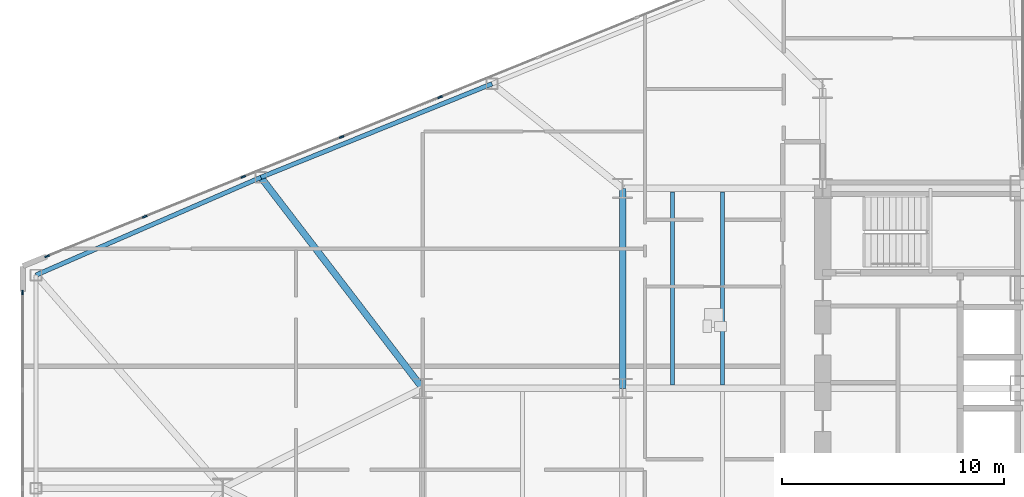
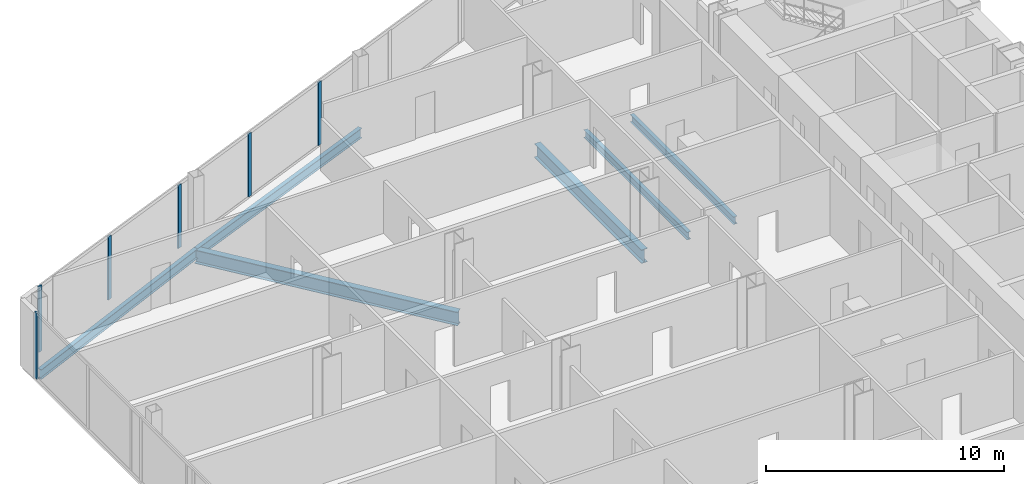
# One storey, part 6 of 25: 6 beams, 6 members, 2 elements without a shape of their own.
"""IFC4 building model written with IfcOpenShell, lengths in metres."""

import ifcopenshell
import ifcopenshell.guid

model = None  # the IFC model being written
_history = None  # IfcOwnerHistory: only IFC2X3 demands one
_inside = {}  # id of a spatial element -> (the spatial element, [elements in it])
_under = {}  # id of a project, library or spatial element -> (it, [spatial elements below it])
_declared = {}  # id of a project -> (the project, [libraries it declares])
_typed = {}  # id of a type object -> (the type object, [elements of that type])
_made_of = {}  # id of a material, layer set ... -> (it, [elements and type objects made of it])


def new_model(schema):
    """Start an empty IFC model of exactly this schema.

    Asked for "IFC4X3", IfcOpenShell would pick the latest addendum, in which some entities
    have other attributes; the version numbers below select the first issue.
    IFC2X3 requires an IfcOwnerHistory on every rooted entity: one is made here for all.
    """
    global model, _history
    if schema == "IFC4X3":
        model = ifcopenshell.file(schema_version=(4, 3, 0, 0))
    else:
        model = ifcopenshell.file(schema=schema)
    _inside.clear()
    _under.clear()
    _declared.clear()
    _typed.clear()
    _made_of.clear()
    _history = None
    if model.schema == "IFC2X3":
        org = make("IfcOrganization", Name="unknown")
        user = make(
            "IfcPersonAndOrganization",
            ThePerson=make("IfcPerson", FamilyName="unknown"),
            TheOrganization=org,
        )
        app = make(
            "IfcApplication",
            ApplicationDeveloper=org,
            Version="unknown",
            ApplicationFullName="unknown",
            ApplicationIdentifier="unknown",
        )
        _history = make(
            "IfcOwnerHistory",
            OwningUser=user,
            OwningApplication=app,
            ChangeAction="ADDED",
            CreationDate=0,
        )
    return model


def make(cls, **values):
    """One entity of the class cls with the attributes given. An attribute that is None is left unset."""
    return model.create_entity(
        cls, **{name: value for name, value in values.items() if value is not None}
    )


def rooted(cls, **values):
    """An entity with a GlobalId (a new one), such as an element, a storey or a relation."""
    return make(cls, GlobalId=ifcopenshell.guid.new(), OwnerHistory=_history, **values)


def si_unit(unit_type, name, prefix=None):
    """IfcSIUnit, for example si_unit("LENGTHUNIT", "METRE", prefix="MILLI")."""
    return make("IfcSIUnit", UnitType=unit_type, Prefix=prefix, Name=name)


def assignment(units):
    """IfcUnitAssignment: the units of a project."""
    return None if units is None else make("IfcUnitAssignment", Units=units)


def point(xyz):
    """IfcCartesianPoint."""
    return None if xyz is None else make("IfcCartesianPoint", Coordinates=xyz)


def direction(xyz):
    """IfcDirection."""
    return None if xyz is None else make("IfcDirection", DirectionRatios=xyz)


def frame(location, z_axis=None, x_axis=None):
    """IfcAxis2Placement3D, a coordinate frame: its origin and axes. An axis left out is left unset."""
    return make(
        "IfcAxis2Placement3D",
        Location=point(location),
        Axis=direction(z_axis),
        RefDirection=direction(x_axis),
    )


def frame_2d(location, x_axis=None):
    """IfcAxis2Placement2D, a coordinate frame in the plane: its origin and x axis."""
    return make(
        "IfcAxis2Placement2D", Location=point(location), RefDirection=direction(x_axis)
    )


def origin():
    """The frame at (0, 0, 0) with its axes left unset."""
    return frame((0.0, 0.0, 0.0))


def origin_2d():
    """The frame at (0, 0) in the plane with its x axis left unset."""
    return frame_2d((0.0, 0.0))


def place(relative_to, where):
    """IfcLocalPlacement: puts the frame where relative to a parent placement (None: the world)."""
    return make(
        "IfcLocalPlacement", PlacementRelTo=relative_to, RelativePlacement=where
    )


def context(
    kind, dimensions, precision=None, world=None, true_north=None, identifier=None
):
    """IfcGeometricRepresentationContext, for example the 3D "Model" context."""
    return make(
        "IfcGeometricRepresentationContext",
        ContextIdentifier=identifier,
        ContextType=kind,
        CoordinateSpaceDimension=dimensions,
        Precision=precision,
        WorldCoordinateSystem=world,
        TrueNorth=true_north,
    )


def subcontext(parent, identifier, kind, view, scale=None):
    """IfcGeometricRepresentationSubContext, for example "Body" below "Model"."""
    return make(
        "IfcGeometricRepresentationSubContext",
        ContextIdentifier=identifier,
        ContextType=kind,
        ParentContext=parent,
        TargetScale=scale,
        TargetView=view,
    )


def project(units=None, contexts=None):
    """IfcProject with its units and contexts."""
    return rooted(
        "IfcProject",
        Name="project",
        RepresentationContexts=contexts,
        UnitsInContext=assignment(units),
    )


def spatial(cls, under=None, at=None, **own):
    """A site, building, storey or space (cls), placed at a placement, below another one or the project."""
    s = rooted(cls, ObjectPlacement=at, **own)
    if under is not None:
        _under.setdefault(under.id(), (under, []))[1].append(s)
    return s


def profile(cls, at=None, kind="AREA", **sizes):
    """A parametric profile (cls). Its sizes go by their IFC names, for example OverallWidth=200.0."""
    return make(cls, ProfileType=kind, Position=at, **sizes)


def rectangle(**sizes):
    """IfcRectangleProfileDef."""
    return profile("IfcRectangleProfileDef", **sizes)


def i_section(**sizes):
    """IfcIShapeProfileDef."""
    return profile("IfcIShapeProfileDef", **sizes)


def extrude(swept, where, along, depth):
    """IfcExtrudedAreaSolid: the profile swept, set in the frame where, extruded along a direction by depth."""
    return make(
        "IfcExtrudedAreaSolid",
        SweptArea=swept,
        Position=where,
        ExtrudedDirection=direction(along),
        Depth=depth,
    )


def shape(context_of_items, identifier, shape_type, items):
    """IfcShapeRepresentation: the items that make up one representation, for example the "Body"."""
    return make(
        "IfcShapeRepresentation",
        ContextOfItems=context_of_items,
        RepresentationIdentifier=identifier,
        RepresentationType=shape_type,
        Items=items,
    )


def source(mapping_origin, context_of_items, identifier, shape_type, items):
    """IfcRepresentationMap: a shape defined once, which mapped items show again and again."""
    return make(
        "IfcRepresentationMap",
        MappingOrigin=mapping_origin,
        MappedRepresentation=shape(context_of_items, identifier, shape_type, items),
    )


def transform(
    local_origin,
    x_axis=None,
    y_axis=None,
    z_axis=None,
    scale=None,
    scale2=None,
    scale3=None,
    uniform=True,
):
    """IfcCartesianTransformationOperator3D, or its non-uniform kind. x_axis, y_axis, z_axis: its Axis1, 2, 3."""
    if uniform:
        return make(
            "IfcCartesianTransformationOperator3D",
            Axis1=direction(x_axis),
            Axis2=direction(y_axis),
            LocalOrigin=point(local_origin),
            Scale=scale,
            Axis3=direction(z_axis),
        )
    return make(
        "IfcCartesianTransformationOperator3DnonUniform",
        Axis1=direction(x_axis),
        Axis2=direction(y_axis),
        LocalOrigin=point(local_origin),
        Scale=scale,
        Axis3=direction(z_axis),
        Scale2=scale2,
        Scale3=scale3,
    )


def mapped(mapping_source, mapping_target):
    """IfcMappedItem: shows the shape of a source again, moved by a transform."""
    return make(
        "IfcMappedItem", MappingSource=mapping_source, MappingTarget=mapping_target
    )


def material(Name=None, Category=None):
    """IfcMaterial."""
    return make("IfcMaterial", Name=Name, Category=Category)


def layer(
    of_material, thickness, ventilated=None, Name=None, Category=None, Priority=None
):
    """IfcMaterialLayer: one layer of a wall or slab, of a material (None: an air gap)."""
    return make(
        "IfcMaterialLayer",
        Material=of_material,
        LayerThickness=thickness,
        IsVentilated=ventilated,
        Name=Name,
        Category=Category,
        Priority=Priority,
    )


def layer_set(layers, Name=None):
    """IfcMaterialLayerSet."""
    return make("IfcMaterialLayerSet", MaterialLayers=layers, LayerSetName=Name)


def material_profile(
    of_material, cross_section, Name=None, Category=None, Priority=None
):
    """IfcMaterialProfile: a cross section and its material."""
    return make(
        "IfcMaterialProfile",
        Name=Name,
        Material=of_material,
        Profile=cross_section,
        Priority=Priority,
        Category=Category,
    )


def profile_set(profiles, Name=None, composite=None):
    """IfcMaterialProfileSet."""
    return make(
        "IfcMaterialProfileSet",
        Name=Name,
        MaterialProfiles=profiles,
        CompositeProfile=composite,
    )


def made_of(thing, what):
    """Note that an element or type object is made of a material, layer set ...; save() writes the relation."""
    if what is not None:
        _made_of.setdefault(what.id(), (what, []))[1].append(thing)
    return thing


def type_object(cls, material=None, **own):
    """A type object (cls), such as IfcWallType, which elements share."""
    return made_of(rooted(cls, **own), material)


def type_shapes(of_type, sources):
    """Give a type object the sources (RepresentationMaps) that its elements show as mapped items."""
    of_type.RepresentationMaps = sources


def element(
    cls,
    number,
    at=None,
    inside=None,
    cuts=None,
    type_object=None,
    material=None,
    context=None,
    identifier="Body",
    shape_type=None,
    held_by="IfcProductDefinitionShape",
    body=None,
    shapes=None,
    **own,
):
    """One element of the class cls, such as IfcWall. Its Tag is "e" and its number.

    at: its placement. inside: the storey or other place that contains it. cuts: it is an
    opening in that element (IfcRelVoidsElement). A single representation is given by context,
    identifier, shape_type and body (its items); several are given by shapes. held_by: the class
    of the entity that holds the representations. save() writes the other relations.
    """
    e = rooted(cls, Tag="e%d" % number, ObjectPlacement=at, **own)
    if body is not None:
        shapes = [shape(context, identifier, shape_type, body)]
    if shapes is not None:
        e.Representation = make(held_by, Representations=shapes)
    if inside is not None:
        _inside.setdefault(inside.id(), (inside, []))[1].append(e)
    if cuts is not None:
        rooted(
            "IfcRelVoidsElement", RelatingBuildingElement=cuts, RelatedOpeningElement=e
        )
    if type_object is not None:
        _typed.setdefault(type_object.id(), (type_object, []))[1].append(e)
    return made_of(e, material)


def aggregate(whole, parts):
    """IfcRelAggregates: a whole, such as a stair, and the parts it consists of."""
    return rooted("IfcRelAggregates", RelatingObject=whole, RelatedObjects=parts)


def save(model, path):
    """Write the relations noted so far, then the file.

    IfcRelAggregates (storeys below a building ...), IfcRelContainedInSpatialStructure (elements
    in a storey), IfcRelDefinesByType, IfcRelAssociatesMaterial and IfcRelDeclares: one each for
    every whole, place, type object, material and project.
    """
    for whole, parts in _under.values():
        aggregate(whole, parts)
    for where, things in _inside.values():
        rooted(
            "IfcRelContainedInSpatialStructure",
            RelatedElements=things,
            RelatingStructure=where,
        )
    for kind, things in _typed.values():
        rooted("IfcRelDefinesByType", RelatedObjects=things, RelatingType=kind)
    for what, things in _made_of.values():
        rooted("IfcRelAssociatesMaterial", RelatedObjects=things, RelatingMaterial=what)
    for by, libraries in _declared.values():
        rooted("IfcRelDeclares", RelatingContext=by, RelatedDefinitions=libraries)
    model.write(path)


model = new_model("IFC4")

# Units and contexts
model_context = context("Model", 3, precision=1e-05, world=origin(), true_north=direction((0.0, 1.0)))
body_context = subcontext(model_context, "Body", "Model", "MODEL_VIEW")
ifc_project = project(units=[si_unit("LENGTHUNIT", "METRE"), si_unit("AREAUNIT", "SQUARE_METRE"), si_unit("VOLUMEUNIT", "CUBIC_METRE"), si_unit("PLANEANGLEUNIT", "RADIAN"), si_unit("MASSUNIT", "GRAM", prefix="KILO")], contexts=[model_context])

# Site, building, storey
site_placement = place(None, origin())
site = spatial("IfcSite", under=ifc_project, at=site_placement, CompositionType="ELEMENT")
building_placement = place(site_placement, origin())
building = spatial("IfcBuilding", under=site, at=building_placement, Name="Seokmaru Belvedere", CompositionType="ELEMENT")
storey_placement = place(building_placement, frame((0.0, 0.0, 51.300048828125)))
storey = spatial("IfcBuildingStorey", under=building, at=storey_placement, Name="L13", CompositionType="ELEMENT", Elevation=51.300048828125)

# Beams
ifc_material_1 = material(Name="Steel SM355 (355 MPa)", Category="steel")
ifc_material_profile_1 = material_profile(ifc_material_1, i_section(OverallWidth=0.300048828125, OverallDepth=0.699951171875, WebThickness=0.012939453125, FlangeThickness=0.02392578125, at=origin_2d()), Name="H-700x300x13x24")
ifc_profile_set_1 = profile_set([ifc_material_profile_1], Name="Steel SM355 (355 MPa)")
beam_type_1 = type_object("IfcBeamType", Name="Primary Floor Girder H-700", PredefinedType="BEAM", material=ifc_profile_set_1)
shared_shape_1 = source(origin(), body_context, "Body", "SweptSolid", [
    extrude(i_section(OverallWidth=0.300048828125, OverallDepth=0.699951171875, WebThickness=0.012939453125, FlangeThickness=0.02392578125, at=origin_2d()), origin(), (0.0, 0.0, 1.0), 9.0),
])
beam_1_placement = place(storey_placement, frame((-45.5, 4.5, -0.570068359375), z_axis=(0.0, 1.0, 0.0), x_axis=(-1.0, 0.0, 0.0)))
element("IfcBeam", 1, at=beam_1_placement, inside=storey, type_object=beam_type_1, Name="L13 W Interior Grid Girder 3", PredefinedType="BEAM", context=body_context, shape_type="MappedRepresentation", body=[
    mapped(shared_shape_1, transform((0.0, 0.0, 0.0), scale=1.0)),
])
ifc_material_profile_2 = material_profile(ifc_material_1, i_section(OverallWidth=0.18505859375, OverallDepth=0.389892578125, WebThickness=0.008056640625, FlangeThickness=0.011962890625, at=origin_2d()), Name="H-390x185x8x12")
ifc_profile_set_2 = profile_set([ifc_material_profile_2], Name="Steel SM355 (355 MPa)")
beam_type_2 = type_object("IfcBeamType", Name="Secondary Floor Joist H-350", PredefinedType="JOIST", material=ifc_profile_set_2)
shared_shape_2 = source(origin(), body_context, "Body", "SweptSolid", [
    extrude(i_section(OverallWidth=0.18505859375, OverallDepth=0.389892578125, WebThickness=0.008056640625, FlangeThickness=0.011962890625, at=origin_2d()), origin(), (0.0, 0.0, 1.0), 8.68994140625),
])
type_shapes(beam_type_2, [shared_shape_2])
for number, where, z_axis, x_axis, name in (
    (2, (-43.25, 4.655029296875, -0.4150390625), (0.0, 1.0, 0.0), (-1.0, 0.0, 0.0), "L13 W Wing Inner Secondary Joist 2"),
    (3, (-41.0, 4.655029296875, -0.4150390625), (0.0, 1.0, 0.0), (-1.0, 0.0, 0.0), "L13 W Secondary Floor Joist 3"),
):
    element("IfcBeam", number, at=place(storey_placement, frame(where, z_axis=z_axis, x_axis=x_axis)), inside=storey, type_object=beam_type_2, Name=name, PredefinedType="JOIST", context=body_context, shape_type="MappedRepresentation", body=[
        mapped(shared_shape_2, transform((0.0, 0.0, 0.0), scale=1.0)),
    ])
ifc_material_profile_3 = material_profile(ifc_material_1, i_section(OverallWidth=0.199951171875, OverallDepth=0.5, WebThickness=0.010009765625, FlangeThickness=0.01611328125, at=origin_2d()), Name="H-500x200x10x16")
ifc_profile_set_3 = profile_set([ifc_material_profile_3], Name="Steel SM355 (355 MPa)")
beam_type_3 = type_object("IfcBeamType", Name="Perimeter Spandrel Beam H-500", PredefinedType="SPANDREL", material=ifc_profile_set_3)
shared_shape_3 = source(origin(), body_context, "Body", "SweptSolid", [
    extrude(i_section(OverallWidth=0.199951171875, OverallDepth=0.5, WebThickness=0.010009765625, FlangeThickness=0.01611328125, at=origin_2d()), origin(), (0.0, 0.0, 1.0), 11.220703125),
])
beam_2_placement = place(storey_placement, frame((-51.378173828125, 18.2041015625, -0.469970703125), z_axis=(-0.926944290816, -0.375198989503, 0.0), x_axis=(0.375198989503, -0.926944290816, 0.0)))
element("IfcBeam", 4, at=beam_2_placement, inside=storey, type_object=beam_type_3, Name="L13 W Faceted Flank Spandrel N-3", PredefinedType="SPANDREL", context=body_context, shape_type="MappedRepresentation", body=[
    mapped(shared_shape_3, transform((0.0, 0.0, 0.0), scale=1.0)),
])
shared_shape_4 = source(origin(), body_context, "Body", "SweptSolid", [
    extrude(i_section(OverallWidth=0.199951171875, OverallDepth=0.5, WebThickness=0.010009765625, FlangeThickness=0.01611328125, at=origin_2d()), origin(), (0.0, 0.0, 1.0), 11.035400390625),
])
type_shapes(beam_type_3, [shared_shape_3, shared_shape_4])
beam_3_placement = place(storey_placement, frame((-61.779052734375, 13.994140625, -0.469970703125), z_axis=(-0.917134058682, -0.398578873507, 0.0), x_axis=(0.398578873507, -0.917134058682, 0.0)))
element("IfcBeam", 5, at=beam_3_placement, inside=storey, type_object=beam_type_3, Name="L13 W Faceted Flank Spandrel N-4", PredefinedType="SPANDREL", context=body_context, shape_type="MappedRepresentation", body=[
    mapped(shared_shape_4, transform((0.0, 0.0, 0.0), scale=1.0)),
])
shared_shape_5 = source(origin(), body_context, "Body", "SweptSolid", [
    extrude(i_section(OverallWidth=0.300048828125, OverallDepth=0.699951171875, WebThickness=0.012939453125, FlangeThickness=0.02392578125, at=origin_2d()), origin(), (0.0, 0.0, 1.0), 11.96337890625),
])
type_shapes(beam_type_1, [shared_shape_1, shared_shape_5])
beam_4_placement = place(storey_placement, frame((-61.779052734375, 13.994140625, -0.570068359375), z_axis=(0.608442682624, -0.793597821294, 0.0), x_axis=(0.793597821294, 0.608442682624, 0.0)))
element("IfcBeam", 6, at=beam_4_placement, inside=storey, type_object=beam_type_1, Name="L13 W Flank Radial Floor Girder N-3", PredefinedType="BEAM", context=body_context, shape_type="MappedRepresentation", body=[
    mapped(shared_shape_5, transform((0.0, 0.0, 0.0), scale=1.0)),
])

# Curtain wall, members
ifc_material_2 = material(Name="Bronze Triple Insulating Glass", Category="glass")
ifc_layer = layer(ifc_material_2, 0.2099609375)
ifc_layer_set = layer_set([ifc_layer], Name="Bronze Triple Insulating Glass")
curtain_wall_type = type_object("IfcCurtainWallType", Name="Low-Rise Faceted Crystal Curtain Wall System CW-2", PredefinedType="NOTDEFINED", material=ifc_layer_set)
curtain_wall_1_placement = place(storey_placement, origin())
curtain_wall_1 = element("IfcCurtainWall", 7, at=curtain_wall_1_placement, inside=storey, type_object=curtain_wall_type, Name="L13 Curtain Wall WF3", PredefinedType="NOTDEFINED")
ifc_material_3 = material(Name="Anodised Bronze Aluminium", Category="aluminium")
ifc_material_profile_4 = material_profile(ifc_material_3, rectangle(XDim=0.074951171875, YDim=0.2099609375, at=origin_2d()), Name="CW-M-75x210")
ifc_profile_set_4 = profile_set([ifc_material_profile_4], Name="Anodised Bronze Aluminium")
member_type = type_object("IfcMemberType", Name="Bronze Unitised Mullion 75x210", PredefinedType="MULLION", material=ifc_profile_set_4)
shared_shape_6 = source(origin(), body_context, "Body", "SweptSolid", [
    extrude(rectangle(XDim=0.074951171875, YDim=0.2099609375, at=origin_2d()), origin(), (0.0, 0.0, 1.0), 3.239990234375),
])
member_1_placement = place(storey_placement, frame((-53.71484375, 17.603515625, 0.070068359375), z_axis=(0.0, 0.0, 1.0), x_axis=(0.375192321888, -0.926946989637, 0.0)))
member_1 = element("IfcMember", 8, at=member_1_placement, type_object=member_type, Name="CW:L13:WF3 Mullion 6", PredefinedType="MULLION", context=body_context, shape_type="MappedRepresentation", body=[
    mapped(shared_shape_6, transform((0.0, 0.0, 0.0), scale=1.0)),
])
member_2_placement = place(storey_placement, frame((-58.144775390625, 15.810546875, 0.070068359375), z_axis=(0.0, 0.0, 1.0), x_axis=(0.375192321888, -0.926946989637, 0.0)))
member_2 = element("IfcMember", 9, at=member_2_placement, type_object=member_type, Name="CW:L13:WF3 Mullion 7", PredefinedType="MULLION", context=body_context, shape_type="MappedRepresentation", body=[
    mapped(shared_shape_6, transform((0.0, 0.0, 0.0), scale=1.0)),
])
member_3_placement = place(storey_placement, frame((-62.574462890625, 14.017578125, 0.070068359375), z_axis=(0.0, 0.0, 1.0), x_axis=(0.375192321888, -0.926946989637, 0.0)))
member_3 = element("IfcMember", 10, at=member_3_placement, type_object=member_type, Name="CW:L13:WF3 Mullion 8", PredefinedType="MULLION", context=body_context, shape_type="MappedRepresentation", body=[
    mapped(shared_shape_6, transform((0.0, 0.0, 0.0), scale=1.0)),
])
member_4_placement = place(storey_placement, frame((-67.004150390625, 12.224609375, 0.070068359375), z_axis=(0.0, 0.0, 1.0), x_axis=(0.375192321888, -0.926946989637, 0.0)))
member_4 = element("IfcMember", 11, at=member_4_placement, type_object=member_type, Name="CW:L13:WF3 Mullion 9", PredefinedType="MULLION", context=body_context, shape_type="MappedRepresentation", body=[
    mapped(shared_shape_6, transform((0.0, 0.0, 0.0), scale=1.0)),
])
shared_shape_7 = source(origin(), body_context, "Body", "SweptSolid", [
    extrude(rectangle(XDim=0.074951171875, YDim=0.2099609375, at=origin_2d()), origin(), (0.0, 0.0, 1.0), 3.3798828125),
])
type_shapes(member_type, [shared_shape_6, shared_shape_7])
member_5_placement = place(storey_placement, frame((-71.399169921875, 10.445556640625, 0.0), z_axis=(0.0, 0.0, 1.0), x_axis=(0.375192321888, -0.926946989637, 0.0)))
member_5 = element("IfcMember", 12, at=member_5_placement, type_object=member_type, Name="CW:L13:WF3 Mullion 10", PredefinedType="MULLION", context=body_context, shape_type="MappedRepresentation", body=[
    mapped(shared_shape_7, transform((0.0, 0.0, 0.0), scale=1.0)),
])
aggregate(curtain_wall_1, [member_1, member_2, member_3, member_4, member_5])

# Curtain wall, member
curtain_wall_2_placement = place(storey_placement, origin())
curtain_wall_2 = element("IfcCurtainWall", 13, at=curtain_wall_2_placement, inside=storey, type_object=curtain_wall_type, Name="L13 Curtain Wall WF4", PredefinedType="NOTDEFINED")
member_6_placement = place(storey_placement, frame((-72.5, 8.8125, 0.0), z_axis=(0.0, 0.0, 1.0), x_axis=(1.0, 0.0, 0.0)))
member_6 = element("IfcMember", 14, at=member_6_placement, type_object=member_type, Name="CW:L13:WF4 Mullion 1", PredefinedType="MULLION", context=body_context, shape_type="MappedRepresentation", body=[
    mapped(shared_shape_7, transform((0.0, 0.0, 0.0), scale=1.0)),
])
aggregate(curtain_wall_2, [member_6])

save(model, "model.ifc")
